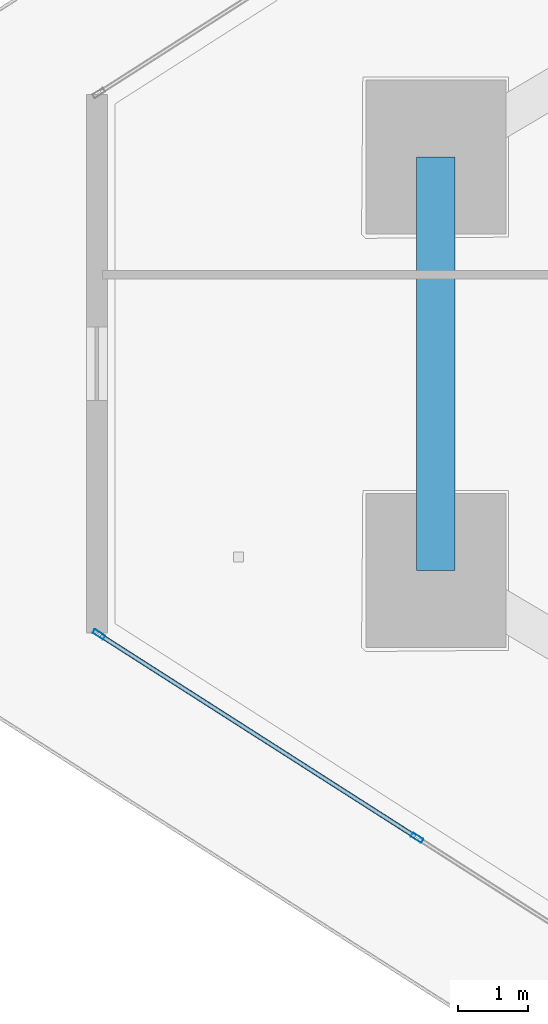
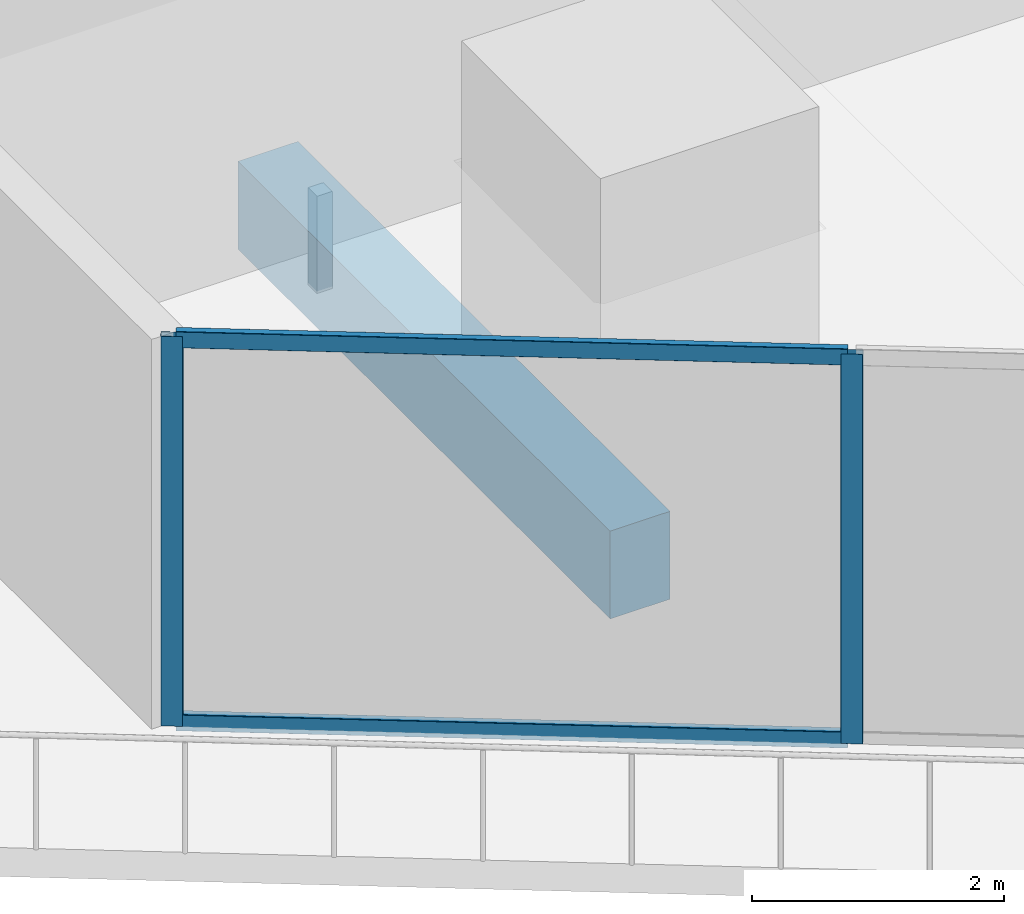
# One storey, part 4 of 42: 4 members, 1 beam, 1 element without a shape of its own.
"""IFC4 building model written with IfcOpenShell, lengths in metres."""

from ifc_helpers import new_model, si_unit, direction, frame, origin, origin_2d, place, context, subcontext, project, spatial, rectangle, hollow_rectangle, extrude, material, layer, layer_set, material_profile, profile_set, type_object, element, aggregate, save


model = new_model("IFC4")

# Units and contexts
model_context = context("Model", 3, precision=1e-05, world=origin(), true_north=direction((0.0, 1.0)))
body_context = subcontext(model_context, "Body", "Model", "MODEL_VIEW")
ifc_project = project(units=[si_unit("LENGTHUNIT", "METRE"), si_unit("AREAUNIT", "SQUARE_METRE"), si_unit("VOLUMEUNIT", "CUBIC_METRE"), si_unit("PLANEANGLEUNIT", "RADIAN"), si_unit("MASSUNIT", "GRAM", prefix="KILO")], contexts=[model_context])

# Site, building, storey
site_placement = place(None, origin())
site = spatial("IfcSite", under=ifc_project, at=site_placement, CompositionType="ELEMENT")
building_placement = place(site_placement, origin())
building = spatial("IfcBuilding", under=site, at=building_placement, Name="Qorvath Tower", CompositionType="ELEMENT")
storey_placement = place(building_placement, frame((0.0, 0.0, 117.89990234375)))
storey = spatial("IfcBuildingStorey", under=building, at=storey_placement, Name="L26", CompositionType="ELEMENT", Elevation=117.89990234375)

# Beam
ifc_material_1 = material(Name="Concrete C50/60", Category="concrete")
ifc_material_profile_1 = material_profile(ifc_material_1, rectangle(XDim=0.550048828125, YDim=0.85009765625, at=origin_2d()), Name="RCB 850x550")
ifc_profile_set_1 = profile_set([ifc_material_profile_1], Name="Concrete C50/60")
beam_type = type_object("IfcBeamType", Name="BM-RCB2", PredefinedType="SPANDREL", material=ifc_profile_set_1)
beam_placement = place(storey_placement, frame((-53.04931640625, 2.95068359375, -0.704833984375), z_axis=(0.0, -1.0, 0.0), x_axis=(1.0, 0.0, 0.0)))
element("IfcBeam", 1, at=beam_placement, inside=storey, type_object=beam_type, Name="Perimeter Loggia Frame Beam MC1-MC2 L26", PredefinedType="SPANDREL", context=body_context, shape_type="SweptSolid", body=[
    extrude(rectangle(XDim=0.550048828125, YDim=0.85009765625, at=origin_2d()), origin(), (0.0, 0.0, 1.0), 5.9013671875),
])

# Curtain wall, members
ifc_material_2 = material(Name="Anodised aluminium and triple low-E glass", Category="aluminium")
ifc_layer = layer(ifc_material_2, 0.179931640625)
ifc_layer_set = layer_set([ifc_layer], Name="CW-SYS-2")
curtain_wall_type = type_object("IfcCurtainWallType", Name="CW-SYS-2", PredefinedType="NOTDEFINED", material=ifc_layer_set)
curtain_wall_placement = place(storey_placement, origin())
curtain_wall = element("IfcCurtainWall", 2, at=curtain_wall_placement, inside=storey, type_object=curtain_wall_type, Name="Curtain Wall CW-2 CW-T-L26-2.1", PredefinedType="NOTDEFINED")
ifc_material_3 = material(Name="Anodised aluminium 6063-T6", Category="aluminium")
ifc_material_profile_2 = material_profile(ifc_material_3, hollow_rectangle(XDim=0.06494140625, YDim=0.179931640625, WallThickness=0.00341796875, InnerFilletRadius=0.00341796875, OuterFilletRadius=0.007080078125, at=origin_2d()), Name="CWM 180x65")
ifc_profile_set_2 = profile_set([ifc_material_profile_2], Name="Anodised aluminium 6063-T6")
member_type_1 = type_object("IfcMemberType", Name="CWM-180", PredefinedType="MULLION", material=ifc_profile_set_2)
member_1_placement = place(storey_placement, frame((-57.86181640625, -3.8662109375, 0.0), z_axis=(0.0, 0.0, 1.0), x_axis=(0.538534177075, 0.842603667285, 0.0)))
member_1 = element("IfcMember", 3, at=member_1_placement, type_object=member_type_1, Name="CW-2 mullion 1", PredefinedType="MULLION", context=body_context, shape_type="SweptSolid", body=[
    extrude(hollow_rectangle(XDim=0.06494140625, YDim=0.179931640625, WallThickness=0.00341796875, InnerFilletRadius=0.00341796875, OuterFilletRadius=0.007080078125, at=origin_2d()), origin(), (0.0, 0.0, 1.0), 3.77001953125),
])
member_2_placement = place(storey_placement, frame((-53.317138671875, -6.770751953125, 0.0), z_axis=(0.0, 0.0, 1.0), x_axis=(0.538534177075, 0.842603667285, 0.0)))
member_2 = element("IfcMember", 4, at=member_2_placement, type_object=member_type_1, Name="CW-2 mullion 2", PredefinedType="MULLION", context=body_context, shape_type="SweptSolid", body=[
    extrude(hollow_rectangle(XDim=0.06494140625, YDim=0.179931640625, WallThickness=0.00341796875, InnerFilletRadius=0.00341796875, OuterFilletRadius=0.007080078125, at=origin_2d()), origin(), (0.0, 0.0, 1.0), 3.77001953125),
])
ifc_material_4 = material(Name="Anodised aluminium 6063-T6", Category="aluminium")
ifc_material_profile_3 = material_profile(ifc_material_4, hollow_rectangle(XDim=0.06494140625, YDim=0.159912109375, WallThickness=0.00341796875, InnerFilletRadius=0.00341796875, OuterFilletRadius=0.007080078125, at=origin_2d()), Name="CWT 160x65")
ifc_profile_set_3 = profile_set([ifc_material_profile_3], Name="Anodised aluminium 6063-T6")
member_type_2 = type_object("IfcMemberType", Name="CWT-160", PredefinedType="USERDEFINED", material=ifc_profile_set_3)
member_3_placement = place(storey_placement, frame((-57.83447265625, -3.883544921875, 0.032470703125), z_axis=(0.842609059562, -0.538525740095, 0.0), x_axis=(0.538525740095, 0.842609059562, 0.0)))
member_3 = element("IfcMember", 5, at=member_3_placement, type_object=member_type_2, Name="CW-2 transom 1.1", ObjectType="TRANSOM", PredefinedType="USERDEFINED", context=body_context, shape_type="SweptSolid", body=[
    extrude(hollow_rectangle(XDim=0.06494140625, YDim=0.159912109375, WallThickness=0.00341796875, InnerFilletRadius=0.00341796875, OuterFilletRadius=0.007080078125, at=origin_2d()), origin(), (0.0, 0.0, 1.0), 5.32861328125),
])
member_4_placement = place(storey_placement, frame((-57.83447265625, -3.883544921875, 3.737548828125), z_axis=(0.842609059562, -0.538525740095, 0.0), x_axis=(0.538525740095, 0.842609059562, 0.0)))
member_4 = element("IfcMember", 6, at=member_4_placement, type_object=member_type_2, Name="CW-2 transom 1.2", ObjectType="TRANSOM", PredefinedType="USERDEFINED", context=body_context, shape_type="SweptSolid", body=[
    extrude(hollow_rectangle(XDim=0.06494140625, YDim=0.159912109375, WallThickness=0.00341796875, InnerFilletRadius=0.00341796875, OuterFilletRadius=0.007080078125, at=origin_2d()), origin(), (0.0, 0.0, 1.0), 5.32861328125),
])
aggregate(curtain_wall, [member_1, member_2, member_3, member_4])

save(model, "model.ifc")
